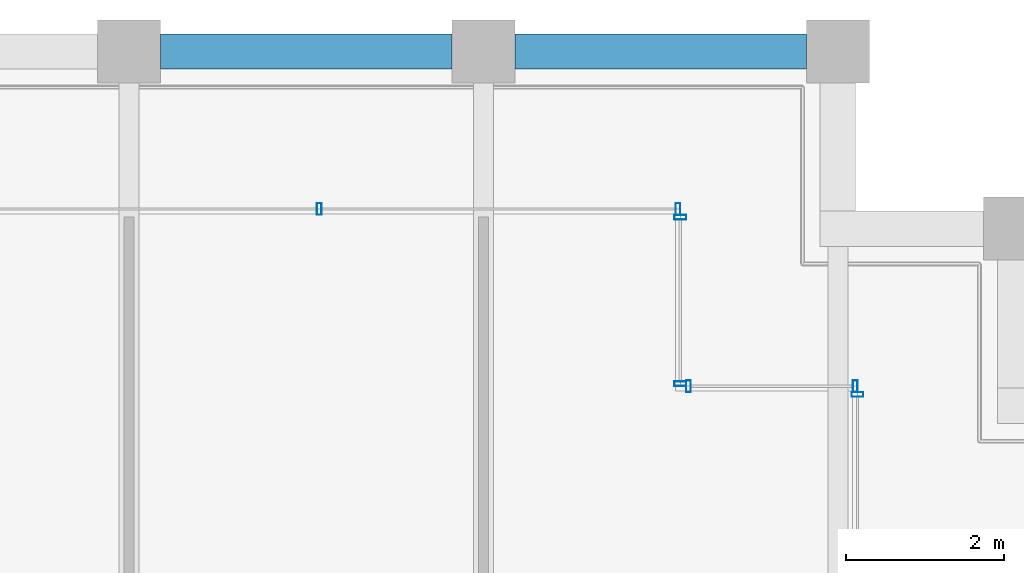
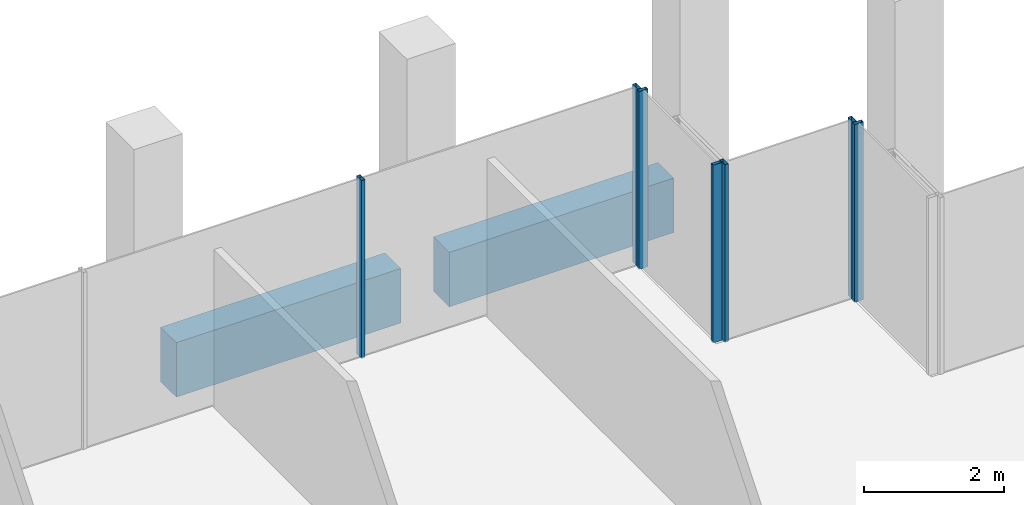
# One storey, part 26 of 30: 7 members, 2 beams, 4 elements without a shape of their own.
"""IFC4 building model written with IfcOpenShell, lengths in metres."""

from ifc_helpers import new_model, si_unit, direction, frame, origin, origin_2d, place, context, subcontext, project, spatial, rectangle, hollow_rectangle, extrude, material, material_profile, profile_set, type_object, element, aggregate, save


model = new_model("IFC4")

# Units and contexts
model_context = context("Model", 3, precision=1e-05, world=origin(), true_north=direction((0.0, 1.0)))
body_context = subcontext(model_context, "Body", "Model", "MODEL_VIEW")
ifc_project = project(units=[si_unit("LENGTHUNIT", "METRE"), si_unit("AREAUNIT", "SQUARE_METRE"), si_unit("VOLUMEUNIT", "CUBIC_METRE"), si_unit("PLANEANGLEUNIT", "RADIAN"), si_unit("MASSUNIT", "GRAM", prefix="KILO")], contexts=[model_context])

# Site, building, storey
site_placement = place(None, origin())
site = spatial("IfcSite", under=ifc_project, at=site_placement, CompositionType="ELEMENT")
building_placement = place(site_placement, origin())
building = spatial("IfcBuilding", under=site, at=building_placement, Name="Altepetl Exchange Towers", CompositionType="ELEMENT")
storey_placement = place(building_placement, frame((0.0, 0.0, 224.39990234375)))
storey = spatial("IfcBuildingStorey", under=building, at=storey_placement, Name="L57", CompositionType="ELEMENT", Elevation=224.39990234375)

# Curtain wall, member
ifc_material_1 = material(Name="Aluminium 6063-T6 glazing", Category="aluminium")
curtain_wall_type = type_object("IfcCurtainWallType", Name="Loggia glazing system", PredefinedType="NOTDEFINED", material=ifc_material_1)
curtain_wall_1_placement = place(storey_placement, origin())
curtain_wall_1 = element("IfcCurtainWall", 1, at=curtain_wall_1_placement, inside=storey, type_object=curtain_wall_type, Name="CW1 run", PredefinedType="NOTDEFINED")
ifc_material_2 = material(Name="Aluminium 6063-T6", Category="aluminium")
ifc_material_profile_1 = material_profile(ifc_material_2, hollow_rectangle(XDim=0.06005859375, YDim=0.14990234375, WallThickness=0.0029296875, at=origin_2d()), Name="Mullion 60x150 aluminium")
ifc_profile_set_1 = profile_set([ifc_material_profile_1], Name="Aluminium 6063-T6")
member_type = type_object("IfcMemberType", Name="Mullion 60x150 aluminium", PredefinedType="MULLION", material=ifc_profile_set_1)
member_1_placement = place(storey_placement, frame((67.75, 67.64501953125, 0.0), z_axis=(0.0, 0.0, 1.0), x_axis=(0.0, 1.0, 0.0)))
member_1 = element("IfcMember", 2, at=member_1_placement, type_object=member_type, Name="MU1 mullion", PredefinedType="MULLION", context=body_context, shape_type="SweptSolid", body=[
    extrude(hollow_rectangle(XDim=0.06005859375, YDim=0.14990234375, WallThickness=0.0029296875, at=origin_2d()), origin(), (0.0, 0.0, 1.0), 3.10009765625),
])
aggregate(curtain_wall_1, [member_1])

# Curtain wall, members
curtain_wall_2_placement = place(storey_placement, origin())
curtain_wall_2 = element("IfcCurtainWall", 3, at=curtain_wall_2_placement, inside=storey, type_object=curtain_wall_type, Name="CW1 run", PredefinedType="NOTDEFINED")
member_2_placement = place(storey_placement, frame((67.719970703125, 67.75, 0.0), z_axis=(0.0, 0.0, 1.0), x_axis=(-1.0, 0.0, 0.0)))
member_2 = element("IfcMember", 4, at=member_2_placement, type_object=member_type, Name="MU1 mullion", PredefinedType="MULLION", context=body_context, shape_type="SweptSolid", body=[
    extrude(hollow_rectangle(XDim=0.06005859375, YDim=0.14990234375, WallThickness=0.0029296875, at=origin_2d()), origin(), (0.0, 0.0, 1.0), 3.10009765625),
])
member_3_placement = place(storey_placement, frame((65.60498046875, 67.75, 0.0), z_axis=(0.0, 0.0, 1.0), x_axis=(-1.0, 0.0, 0.0)))
member_3 = element("IfcMember", 5, at=member_3_placement, type_object=member_type, Name="MU1 mullion", PredefinedType="MULLION", context=body_context, shape_type="SweptSolid", body=[
    extrude(hollow_rectangle(XDim=0.06005859375, YDim=0.14990234375, WallThickness=0.0029296875, at=origin_2d()), origin(), (0.0, 0.0, 1.0), 3.10009765625),
])
aggregate(curtain_wall_2, [member_2, member_3])

curtain_wall_3_placement = place(storey_placement, origin())
curtain_wall_3 = element("IfcCurtainWall", 6, at=curtain_wall_3_placement, inside=storey, type_object=curtain_wall_type, Name="CW1 run", PredefinedType="NOTDEFINED")
member_4_placement = place(storey_placement, frame((65.5, 67.780029296875, 0.0), z_axis=(0.0, 0.0, 1.0), x_axis=(0.0, 1.0, 0.0)))
member_4 = element("IfcMember", 7, at=member_4_placement, type_object=member_type, Name="MU1 mullion", PredefinedType="MULLION", context=body_context, shape_type="SweptSolid", body=[
    extrude(hollow_rectangle(XDim=0.06005859375, YDim=0.14990234375, WallThickness=0.0029296875, at=origin_2d()), origin(), (0.0, 0.0, 1.0), 3.10009765625),
])
member_5_placement = place(storey_placement, frame((65.5, 69.89501953125, 0.0), z_axis=(0.0, 0.0, 1.0), x_axis=(0.0, 1.0, 0.0)))
member_5 = element("IfcMember", 8, at=member_5_placement, type_object=member_type, Name="MU1 mullion", PredefinedType="MULLION", context=body_context, shape_type="SweptSolid", body=[
    extrude(hollow_rectangle(XDim=0.06005859375, YDim=0.14990234375, WallThickness=0.0029296875, at=origin_2d()), origin(), (0.0, 0.0, 1.0), 3.10009765625),
])
aggregate(curtain_wall_3, [member_4, member_5])

curtain_wall_4_placement = place(storey_placement, origin())
curtain_wall_4 = element("IfcCurtainWall", 9, at=curtain_wall_4_placement, inside=storey, type_object=curtain_wall_type, Name="CW1 run", PredefinedType="NOTDEFINED")
member_6_placement = place(storey_placement, frame((65.469970703125, 70.0, 0.0), z_axis=(0.0, 0.0, 1.0), x_axis=(-1.0, 0.0, 0.0)))
member_6 = element("IfcMember", 10, at=member_6_placement, type_object=member_type, Name="MU1 mullion", PredefinedType="MULLION", context=body_context, shape_type="SweptSolid", body=[
    extrude(hollow_rectangle(XDim=0.06005859375, YDim=0.14990234375, WallThickness=0.0029296875, at=origin_2d()), origin(), (0.0, 0.0, 1.0), 3.10009765625),
])
member_7_placement = place(storey_placement, frame((60.9150390625, 70.0, 0.0), z_axis=(0.0, 0.0, 1.0), x_axis=(-1.0, 0.0, 0.0)))
member_7 = element("IfcMember", 11, at=member_7_placement, type_object=member_type, Name="MU1 mullion", PredefinedType="MULLION", context=body_context, shape_type="SweptSolid", body=[
    extrude(hollow_rectangle(XDim=0.06005859375, YDim=0.14990234375, WallThickness=0.0029296875, at=origin_2d()), origin(), (0.0, 0.0, 1.0), 3.10009765625),
])
aggregate(curtain_wall_4, [member_6, member_7])

# Beams
ifc_material_3 = material(Name="Concrete C50/60 precast with cantera rosa facing", Category="concrete")
ifc_material_profile_2 = material_profile(ifc_material_3, rectangle(XDim=0.449951171875, YDim=0.949951171875, at=origin_2d()), Name="450 x 950")
ifc_profile_set_2 = profile_set([ifc_material_profile_2], Name="Concrete C50/60 precast with cantera rosa facing")
beam_type = type_object("IfcBeamType", Name="Spandrel beam 450x950 cantera rosa", PredefinedType="SPANDREL", material=ifc_profile_set_2)
for number, where, z_axis, x_axis, name in (
    (12, (67.10009765625, 72.0, -0.625), (-1.0, 0.0, 0.0), (0.0, -1.0, 0.0), "sp:A:L57:024"),
    (13, (62.60009765625, 72.0, -0.625), (-1.0, 0.0, 0.0), (0.0, -1.0, 0.0), "sp:A:L57:025"),
):
    element("IfcBeam", number, at=place(storey_placement, frame(where, z_axis=z_axis, x_axis=x_axis)), inside=storey, type_object=beam_type, Name=name, PredefinedType="SPANDREL", context=body_context, shape_type="SweptSolid", body=[
        extrude(rectangle(XDim=0.449951171875, YDim=0.949951171875, at=origin_2d()), origin(), (0.0, 0.0, 1.0), 3.7001953125),
    ])

save(model, "model.ifc")
